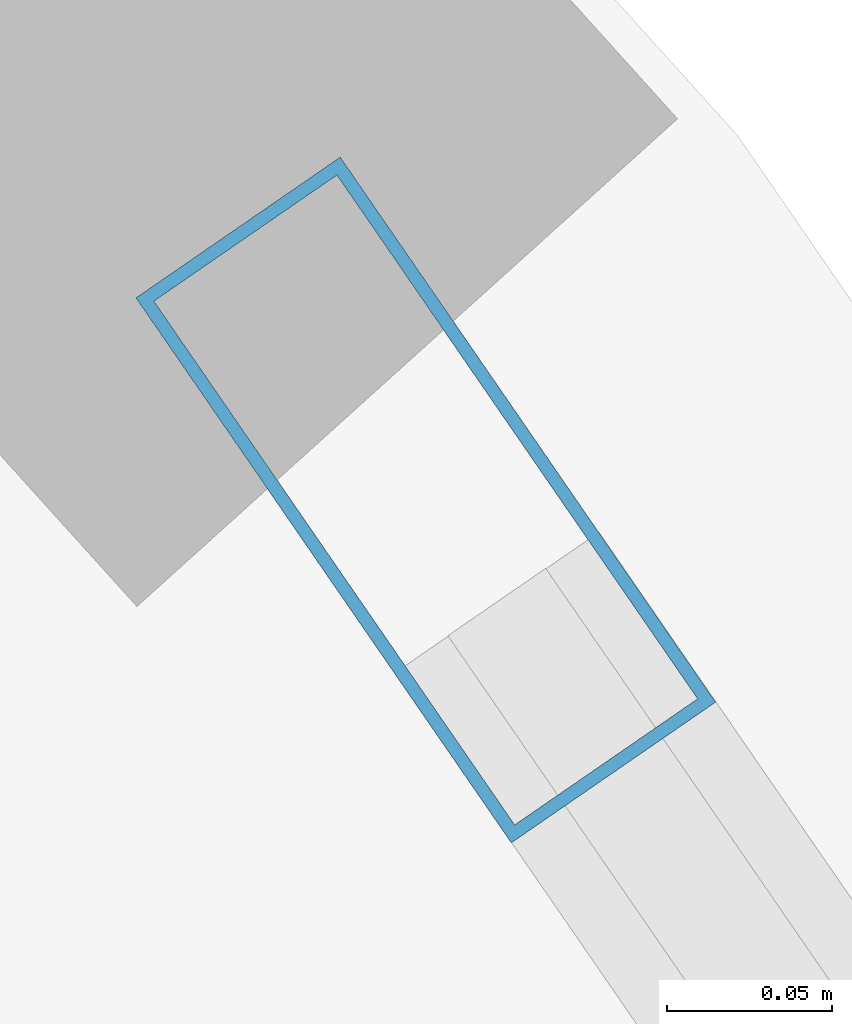
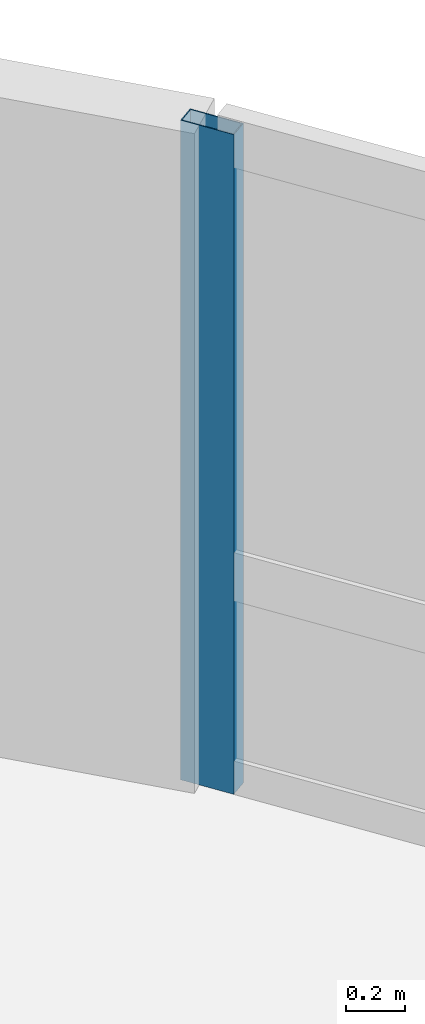
# One storey, part 12 of 21: 1 member, 1 element without a shape of its own.
"""IFC4 building model written with IfcOpenShell, lengths in metres."""

from ifc_helpers import new_model, si_unit, direction, frame, origin, origin_2d, place, context, subcontext, project, spatial, hollow_rectangle, extrude, material, layer, layer_set, material_profile, profile_set, type_object, element, aggregate, save


model = new_model("IFC4")

# Units and contexts
model_context = context("Model", 3, precision=1e-05, world=origin(), true_north=direction((0.0, 1.0)))
body_context = subcontext(model_context, "Body", "Model", "MODEL_VIEW")
ifc_project = project(units=[si_unit("LENGTHUNIT", "METRE"), si_unit("AREAUNIT", "SQUARE_METRE"), si_unit("VOLUMEUNIT", "CUBIC_METRE"), si_unit("PLANEANGLEUNIT", "RADIAN"), si_unit("MASSUNIT", "GRAM", prefix="KILO")], contexts=[model_context])

# Site, building, storey
site_placement = place(None, origin())
site = spatial("IfcSite", under=ifc_project, at=site_placement, CompositionType="ELEMENT")
building_placement = place(site_placement, origin())
building = spatial("IfcBuilding", under=site, at=building_placement, Name="Varnelok Gate Tower", CompositionType="ELEMENT")
storey_placement = place(building_placement, frame((0.0, 0.0, 265.60009765625)))
storey = spatial("IfcBuildingStorey", under=building, at=storey_placement, Name="L68", CompositionType="ELEMENT", Elevation=265.60009765625)

# Curtain wall, member
ifc_material = material(Name="Anodized Aluminum Alloy 6063-T6", Category="aluminium")
ifc_layer = layer(ifc_material, 0.179931640625)
ifc_layer_set = layer_set([ifc_layer], Name="Anodized Aluminum Alloy 6063-T6")
curtain_wall_type = type_object("IfcCurtainWallType", Name="CW4-RESIDENCE-VISION", PredefinedType="USERDEFINED", material=ifc_layer_set)
curtain_wall_placement = place(storey_placement, origin())
curtain_wall = element("IfcCurtainWall", 1, at=curtain_wall_placement, inside=storey, type_object=curtain_wall_type, Name="L68 East End Vision Curtain Wall", ObjectType="UNITISED CURTAIN WALL", PredefinedType="USERDEFINED")
ifc_material_profile = material_profile(ifc_material, hollow_rectangle(XDim=0.074951171875, YDim=0.199951171875, WallThickness=0.00390625, at=origin_2d()), Name="ALU200X75X4")
ifc_profile_set = profile_set([ifc_material_profile], Name="Anodized Aluminum Alloy 6063-T6")
member_type = type_object("IfcMemberType", Name="CW-MULL-200", PredefinedType="MULLION", material=ifc_profile_set)
member_placement = place(storey_placement, frame((57.515380859375, 56.8134765625, 0.0), z_axis=(0.0, 0.0, 1.0), x_axis=(0.823532290241, 0.567269395376, 0.0)))
member = element("IfcMember", 2, at=member_placement, type_object=member_type, Name="CW4 mullion 1", PredefinedType="MULLION", context=body_context, shape_type="SweptSolid", body=[
    extrude(hollow_rectangle(XDim=0.074951171875, YDim=0.199951171875, WallThickness=0.00390625, at=origin_2d()), origin(), (0.0, 0.0, 1.0), 2.72998046875),
])
aggregate(curtain_wall, [member])

save(model, "model.ifc")
